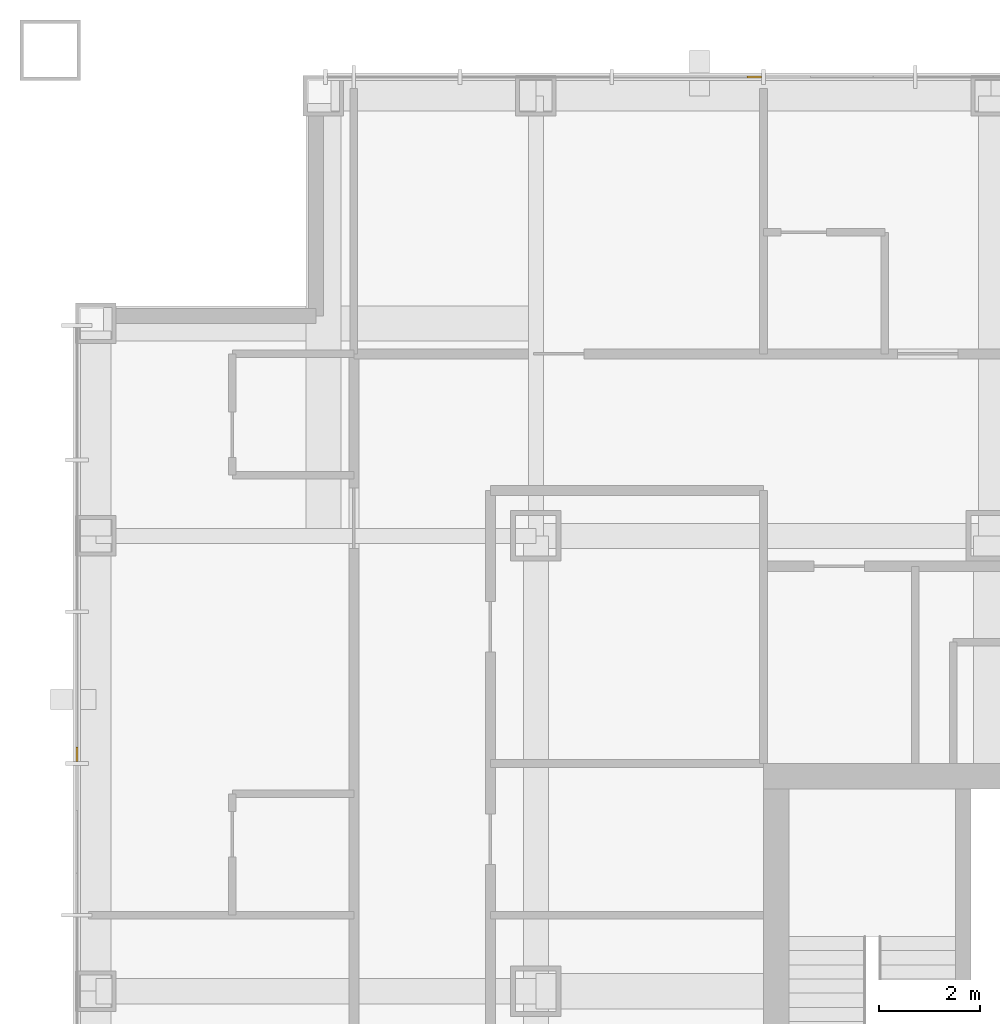
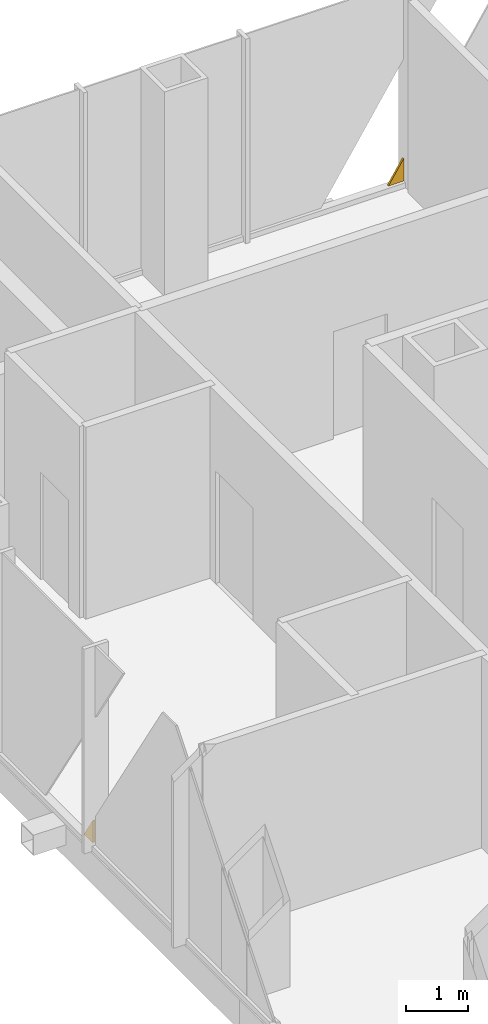
# One storey, part 20 of 21: 2 coverings.
"""IFC4 building model written with IfcOpenShell, lengths in metres."""

from ifc_helpers import new_model, si_unit, direction, frame, origin, place, context, subcontext, project, spatial, polyline, outline, extrude, material, layer, layer_set, type_object, element, save


model = new_model("IFC4")

# Units and contexts
model_context = context("Model", 3, precision=1e-05, world=origin(), true_north=direction((0.0, 1.0)))
body_context = subcontext(model_context, "Body", "Model", "MODEL_VIEW")
ifc_project = project(units=[si_unit("LENGTHUNIT", "METRE"), si_unit("AREAUNIT", "SQUARE_METRE"), si_unit("VOLUMEUNIT", "CUBIC_METRE"), si_unit("PLANEANGLEUNIT", "RADIAN"), si_unit("MASSUNIT", "GRAM", prefix="KILO")], contexts=[model_context])

# Site, building, storey
site_placement = place(None, origin())
site = spatial("IfcSite", under=ifc_project, at=site_placement, CompositionType="ELEMENT")
building_placement = place(site_placement, origin())
building = spatial("IfcBuilding", under=site, at=building_placement, Name="Malebo Sky Hospital", CompositionType="ELEMENT")
storey_placement = place(building_placement, frame((0.0, 0.0, 229.0)))
storey = spatial("IfcBuildingStorey", under=building, at=storey_placement, Name="L55", CompositionType="ELEMENT", Elevation=229.0)

# Coverings
ifc_material = material(Name="Anodised aluminium, natural silver insulated infill panel", Category="aluminium")
ifc_layer = layer(ifc_material, 0.0400390625)
ifc_layer_set = layer_set([ifc_layer], Name="BRACE INFILL PANEL 40")
covering_type = type_object("IfcCoveringType", Name="BRACE INFILL PANEL 40", PredefinedType="CLADDING", material=ifc_layer_set)
covering_1_placement = place(storey_placement, frame((50.8203125, 84.574951171875, 0.10009765625), z_axis=(0.0, 0.0, 1.0), x_axis=(1.0, 0.0, 0.0)))
element("IfcCovering", 1, at=covering_1_placement, inside=storey, type_object=covering_type, Name="Brace infill panel 4.1", PredefinedType="CLADDING", context=body_context, shape_type="SweptSolid", body=[
    extrude(outline(polyline([(-0.14208984375, 0.0), (0.14208984375, 0.0), (0.14208984375, 0.442626953125), (-0.14208984375, 0.0)])), frame((0.0, 0.02001953125, 0.0), z_axis=(0.0, -1.0, 0.0), x_axis=(1.0, 0.0, 0.0)), (0.0, 0.0, 1.0), 0.0400390625),
])
covering_2_placement = place(storey_placement, frame((37.425048828125, 71.1796875, 0.10009765625), z_axis=(0.0, 0.0, 1.0), x_axis=(0.0, 1.0, 0.0)))
element("IfcCovering", 2, at=covering_2_placement, inside=storey, type_object=covering_type, Name="Brace infill panel 11.1", PredefinedType="CLADDING", context=body_context, shape_type="SweptSolid", body=[
    extrude(outline(polyline([(-0.14208984375, 0.0), (0.14208984375, 0.0), (-0.14208984375, 0.442626953125), (-0.14208984375, 0.0)])), frame((0.0, 0.02001953125, 0.0), z_axis=(0.0, -1.0, 0.0), x_axis=(1.0, 0.0, 0.0)), (0.0, 0.0, 1.0), 0.0400390625),
])

save(model, "model.ifc")
